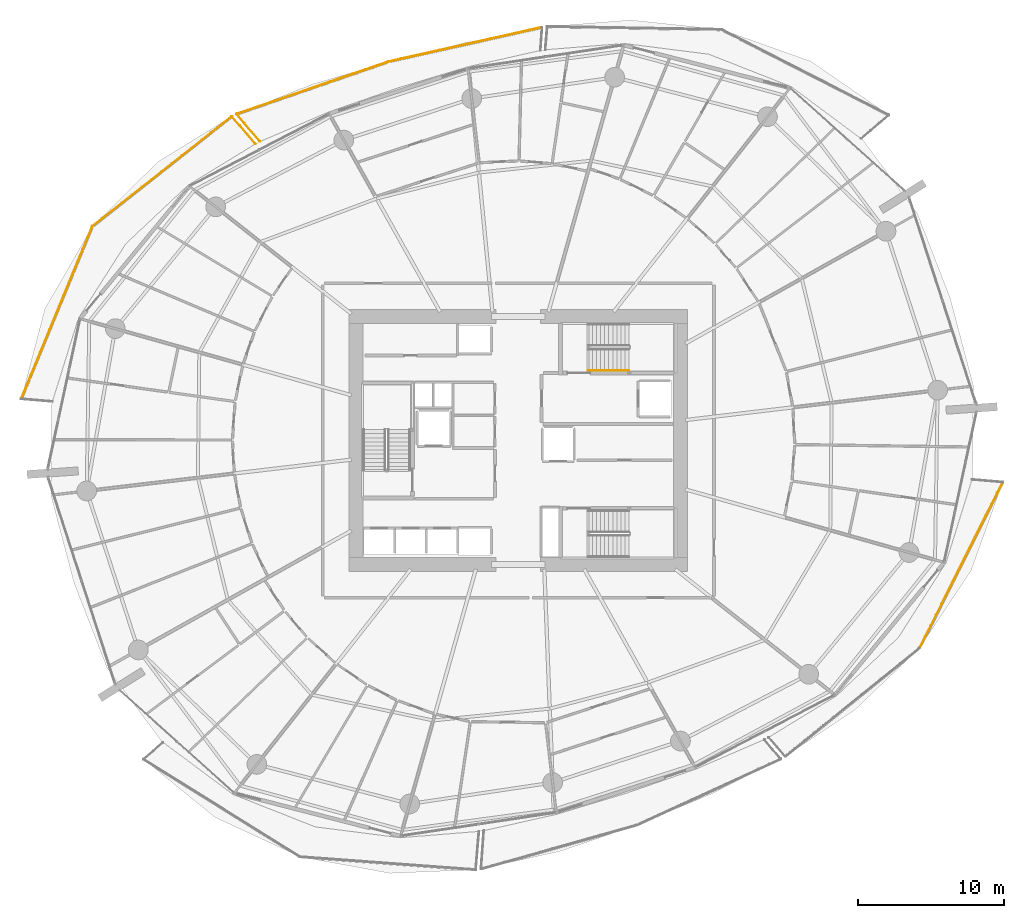
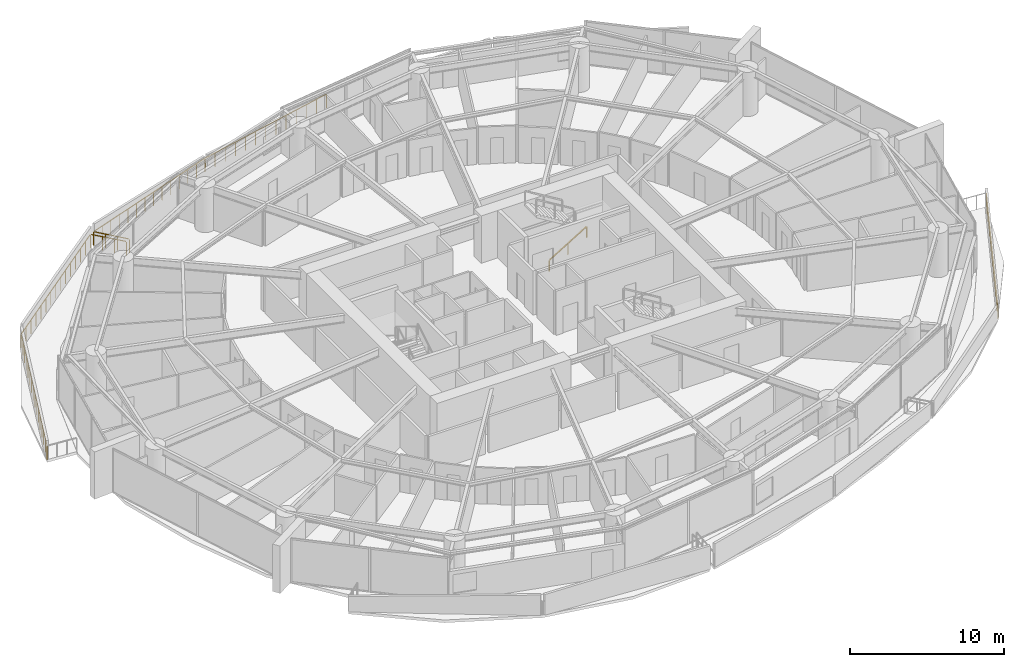
# One storey, part 29 of 31: 8 railings.
"""IFC4 building model written with IfcOpenShell, lengths in metres."""

from ifc_helpers import new_model, si_unit, direction, frame, origin, origin_2d, place, context, subcontext, project, spatial, rectangle, extrude, material, type_object, element, save


model = new_model("IFC4")

# Units and contexts
model_context = context("Model", 3, precision=1e-05, world=origin(), true_north=direction((0.0, 1.0)))
body_context = subcontext(model_context, "Body", "Model", "MODEL_VIEW")
ifc_project = project(units=[si_unit("LENGTHUNIT", "METRE"), si_unit("AREAUNIT", "SQUARE_METRE"), si_unit("VOLUMEUNIT", "CUBIC_METRE"), si_unit("PLANEANGLEUNIT", "RADIAN"), si_unit("MASSUNIT", "GRAM", prefix="KILO")], contexts=[model_context])

# Site, building, storey
site_placement = place(None, origin())
site = spatial("IfcSite", under=ifc_project, at=site_placement, CompositionType="ELEMENT")
building_placement = place(site_placement, origin())
building = spatial("IfcBuilding", under=site, at=building_placement, Name="Kazma Halo Residences", CompositionType="ELEMENT")
storey_placement = place(building_placement, frame((0.0, 0.0, 48.89990234375)))
storey = spatial("IfcBuildingStorey", under=building, at=storey_placement, Name="L11", CompositionType="ELEMENT", Elevation=48.89990234375)

# Railings
ifc_material_1 = material(Name="Aluminium AW-6063 T6 Brushed Cap Rail", Category="aluminium")
railing_type_1 = type_object("IfcRailingType", Name="RLG-BAL-CAP-1120", PredefinedType="BALUSTRADE", material=ifc_material_1)
railing_1_placement = place(storey_placement, frame((50.050537109375, 70.261474609375, 0.0)))
element("IfcRailing", 1, at=railing_1_placement, inside=storey, type_object=railing_type_1, Name="L11 NNW wave balcony guard 2", PredefinedType="BALUSTRADE", context=body_context, shape_type="SweptSolid", body=[
    extrude(rectangle(XDim=0.050048828125, YDim=0.050048828125, at=origin_2d()), frame((-0.04150390625, -0.00927734375, 1.09521484375), z_axis=(-0.975845384568, -0.218462320361, 0.0), x_axis=(0.218462320361, -0.975845384568, 0.0)), (0.0, 0.0, 1.0), 10.6455078125),
    extrude(rectangle(XDim=0.0400390625, YDim=0.0400390625, at=origin_2d()), origin(), (0.0, 0.0, 1.0), 1.05810546875),
    extrude(rectangle(XDim=0.0400390625, YDim=0.0400390625, at=origin_2d()), frame((-0.87255859375, -0.1953125, 0.0)), (0.0, 0.0, 1.0), 1.05810546875),
    extrude(rectangle(XDim=0.0400390625, YDim=0.0400390625, at=origin_2d()), frame((-1.7451171875, -0.390625, 0.0)), (0.0, 0.0, 1.0), 1.05810546875),
    extrude(rectangle(XDim=0.0400390625, YDim=0.0400390625, at=origin_2d()), frame((-2.617919921875, -0.5859375, 0.0)), (0.0, 0.0, 1.0), 1.05810546875),
    extrude(rectangle(XDim=0.0400390625, YDim=0.0400390625, at=origin_2d()), frame((-3.490478515625, -0.781494140625, 0.0)), (0.0, 0.0, 1.0), 1.05810546875),
    extrude(rectangle(XDim=0.0400390625, YDim=0.0400390625, at=origin_2d()), frame((-4.363037109375, -0.976806640625, 0.0)), (0.0, 0.0, 1.0), 1.05810546875),
    extrude(rectangle(XDim=0.0400390625, YDim=0.0400390625, at=origin_2d()), frame((-5.23583984375, -1.172119140625, 0.0)), (0.0, 0.0, 1.0), 1.05810546875),
    extrude(rectangle(XDim=0.0400390625, YDim=0.0400390625, at=origin_2d()), frame((-6.1083984375, -1.367431640625, 0.0)), (0.0, 0.0, 1.0), 1.05810546875),
    extrude(rectangle(XDim=0.0400390625, YDim=0.0400390625, at=origin_2d()), frame((-6.98095703125, -1.562744140625, 0.0)), (0.0, 0.0, 1.0), 1.05810546875),
    extrude(rectangle(XDim=0.0400390625, YDim=0.0400390625, at=origin_2d()), frame((-7.853515625, -1.75830078125, 0.0)), (0.0, 0.0, 1.0), 1.05810546875),
    extrude(rectangle(XDim=0.0400390625, YDim=0.0400390625, at=origin_2d()), frame((-8.72607421875, -1.95361328125, 0.0)), (0.0, 0.0, 1.0), 1.05810546875),
    extrude(rectangle(XDim=0.0400390625, YDim=0.0400390625, at=origin_2d()), frame((-9.598876953125, -2.14892578125, 0.0)), (0.0, 0.0, 1.0), 1.05810546875),
    extrude(rectangle(XDim=0.0400390625, YDim=0.0400390625, at=origin_2d()), frame((-10.471435546875, -2.34423828125, 0.0)), (0.0, 0.0, 1.0), 1.05810546875),
])
railing_2_placement = place(storey_placement, frame((39.5791015625, 67.917236328125, 0.0)))
element("IfcRailing", 2, at=railing_2_placement, inside=storey, type_object=railing_type_1, Name="L11 NNW wave balcony guard 3", PredefinedType="BALUSTRADE", context=body_context, shape_type="SweptSolid", body=[
    extrude(rectangle(XDim=0.050048828125, YDim=0.050048828125, at=origin_2d()), frame((-0.040283203125, -0.013916015625, 1.09521484375), z_axis=(-0.945564975661, -0.325433367687, 0.0), x_axis=(0.325433367687, -0.945564975661, 0.0)), (0.0, 0.0, 1.0), 10.932373046875),
    extrude(rectangle(XDim=0.0400390625, YDim=0.0400390625, at=origin_2d()), origin(), (0.0, 0.0, 1.0), 1.05810546875),
    extrude(rectangle(XDim=0.0400390625, YDim=0.0400390625, at=origin_2d()), frame((-0.80126953125, -0.27587890625, 0.0)), (0.0, 0.0, 1.0), 1.05810546875),
    extrude(rectangle(XDim=0.0400390625, YDim=0.0400390625, at=origin_2d()), frame((-1.602783203125, -0.551513671875, 0.0)), (0.0, 0.0, 1.0), 1.05810546875),
    extrude(rectangle(XDim=0.0400390625, YDim=0.0400390625, at=origin_2d()), frame((-2.404052734375, -0.827392578125, 0.0)), (0.0, 0.0, 1.0), 1.05810546875),
    extrude(rectangle(XDim=0.0400390625, YDim=0.0400390625, at=origin_2d()), frame((-3.20556640625, -1.103271484375, 0.0)), (0.0, 0.0, 1.0), 1.05810546875),
    extrude(rectangle(XDim=0.0400390625, YDim=0.0400390625, at=origin_2d()), frame((-4.0068359375, -1.37890625, 0.0)), (0.0, 0.0, 1.0), 1.05810546875),
    extrude(rectangle(XDim=0.0400390625, YDim=0.0400390625, at=origin_2d()), frame((-4.80810546875, -1.65478515625, 0.0)), (0.0, 0.0, 1.0), 1.05810546875),
    extrude(rectangle(XDim=0.0400390625, YDim=0.0400390625, at=origin_2d()), frame((-5.609619140625, -1.9306640625, 0.0)), (0.0, 0.0, 1.0), 1.05810546875),
    extrude(rectangle(XDim=0.0400390625, YDim=0.0400390625, at=origin_2d()), frame((-6.410888671875, -2.20654296875, 0.0)), (0.0, 0.0, 1.0), 1.05810546875),
    extrude(rectangle(XDim=0.0400390625, YDim=0.0400390625, at=origin_2d()), frame((-7.212158203125, -2.482177734375, 0.0)), (0.0, 0.0, 1.0), 1.05810546875),
    extrude(rectangle(XDim=0.0400390625, YDim=0.0400390625, at=origin_2d()), frame((-8.013671875, -2.758056640625, 0.0)), (0.0, 0.0, 1.0), 1.05810546875),
    extrude(rectangle(XDim=0.0400390625, YDim=0.0400390625, at=origin_2d()), frame((-8.81494140625, -3.033935546875, 0.0)), (0.0, 0.0, 1.0), 1.05810546875),
    extrude(rectangle(XDim=0.0400390625, YDim=0.0400390625, at=origin_2d()), frame((-9.616455078125, -3.3095703125, 0.0)), (0.0, 0.0, 1.0), 1.05810546875),
    extrude(rectangle(XDim=0.0400390625, YDim=0.0400390625, at=origin_2d()), frame((-10.417724609375, -3.58544921875, 0.0)), (0.0, 0.0, 1.0), 1.05810546875),
])
railing_3_placement = place(storey_placement, frame((29.161376953125, 64.331787109375, 0.0)))
element("IfcRailing", 3, at=railing_3_placement, inside=storey, type_object=railing_type_1, Name="L11 NNW wave balcony guard 4", PredefinedType="BALUSTRADE", context=body_context, shape_type="SweptSolid", body=[
    extrude(rectangle(XDim=0.050048828125, YDim=0.050048828125, at=origin_2d()), frame((0.02734375, -0.032470703125, 1.09521484375), z_axis=(0.644836604623, -0.764320451995, 0.0), x_axis=(0.764320451995, 0.644836604623, 0.0)), (0.0, 0.0, 1.0), 2.381103515625),
    extrude(rectangle(XDim=0.0400390625, YDim=0.0400390625, at=origin_2d()), origin(), (0.0, 0.0, 1.0), 1.05810546875),
    extrude(rectangle(XDim=0.0400390625, YDim=0.0400390625, at=origin_2d()), frame((0.530029296875, -0.62841796875, 0.0)), (0.0, 0.0, 1.0), 1.05810546875),
    extrude(rectangle(XDim=0.0400390625, YDim=0.0400390625, at=origin_2d()), frame((1.060302734375, -1.256591796875, 0.0)), (0.0, 0.0, 1.0), 1.05810546875),
    extrude(rectangle(XDim=0.0400390625, YDim=0.0400390625, at=origin_2d()), frame((1.59033203125, -1.885009765625, 0.0)), (0.0, 0.0, 1.0), 1.05810546875),
])
railing_4_placement = place(storey_placement, frame((30.453857421875, 62.29150390625, 0.0)))
element("IfcRailing", 4, at=railing_4_placement, inside=storey, type_object=railing_type_1, Name="L11 NW wave balcony guard 1", PredefinedType="BALUSTRADE", context=body_context, shape_type="SweptSolid", body=[
    extrude(rectangle(XDim=0.050048828125, YDim=0.050048828125, at=origin_2d()), frame((-0.02783203125, 0.0322265625, 1.09521484375), z_axis=(-0.654069906555, 0.756434106409, 0.0), x_axis=(-0.756434106409, -0.654069906555, 0.0)), (0.0, 0.0, 1.0), 2.400146484375),
    extrude(rectangle(XDim=0.0400390625, YDim=0.0400390625, at=origin_2d()), origin(), (0.0, 0.0, 1.0), 1.05810546875),
    extrude(rectangle(XDim=0.0400390625, YDim=0.0400390625, at=origin_2d()), frame((-0.541748046875, 0.626708984375, 0.0)), (0.0, 0.0, 1.0), 1.05810546875),
    extrude(rectangle(XDim=0.0400390625, YDim=0.0400390625, at=origin_2d()), frame((-1.083740234375, 1.253173828125, 0.0)), (0.0, 0.0, 1.0), 1.05810546875),
    extrude(rectangle(XDim=0.0400390625, YDim=0.0400390625, at=origin_2d()), frame((-1.62548828125, 1.8798828125, 0.0)), (0.0, 0.0, 1.0), 1.05810546875),
])
railing_5_placement = place(storey_placement, frame((28.828369140625, 64.17138671875, 0.0)))
element("IfcRailing", 5, at=railing_5_placement, inside=storey, type_object=railing_type_1, Name="L11 NW wave balcony guard 2", PredefinedType="BALUSTRADE", context=body_context, shape_type="SweptSolid", body=[
    extrude(rectangle(XDim=0.050048828125, YDim=0.050048828125, at=origin_2d()), frame((-0.033447265625, -0.0263671875, 1.09521484375), z_axis=(-0.784769725579, -0.619787445674, 0.0), x_axis=(0.619787445674, -0.784769725579, 0.0)), (0.0, 0.0, 1.0), 12.078857421875),
    extrude(rectangle(XDim=0.0400390625, YDim=0.0400390625, at=origin_2d()), origin(), (0.0, 0.0, 1.0), 1.05810546875),
    extrude(rectangle(XDim=0.0400390625, YDim=0.0400390625, at=origin_2d()), frame((-0.681884765625, -0.53857421875, 0.0)), (0.0, 0.0, 1.0), 1.05810546875),
    extrude(rectangle(XDim=0.0400390625, YDim=0.0400390625, at=origin_2d()), frame((-1.36376953125, -1.076904296875, 0.0)), (0.0, 0.0, 1.0), 1.05810546875),
    extrude(rectangle(XDim=0.0400390625, YDim=0.0400390625, at=origin_2d()), frame((-2.045654296875, -1.615478515625, 0.0)), (0.0, 0.0, 1.0), 1.05810546875),
    extrude(rectangle(XDim=0.0400390625, YDim=0.0400390625, at=origin_2d()), frame((-2.727294921875, -2.154052734375, 0.0)), (0.0, 0.0, 1.0), 1.05810546875),
    extrude(rectangle(XDim=0.0400390625, YDim=0.0400390625, at=origin_2d()), frame((-3.4091796875, -2.692626953125, 0.0)), (0.0, 0.0, 1.0), 1.05810546875),
    extrude(rectangle(XDim=0.0400390625, YDim=0.0400390625, at=origin_2d()), frame((-4.091064453125, -3.23095703125, 0.0)), (0.0, 0.0, 1.0), 1.05810546875),
    extrude(rectangle(XDim=0.0400390625, YDim=0.0400390625, at=origin_2d()), frame((-4.77294921875, -3.76953125, 0.0)), (0.0, 0.0, 1.0), 1.05810546875),
    extrude(rectangle(XDim=0.0400390625, YDim=0.0400390625, at=origin_2d()), frame((-5.454833984375, -4.30810546875, 0.0)), (0.0, 0.0, 1.0), 1.05810546875),
    extrude(rectangle(XDim=0.0400390625, YDim=0.0400390625, at=origin_2d()), frame((-6.13671875, -4.846435546875, 0.0)), (0.0, 0.0, 1.0), 1.05810546875),
    extrude(rectangle(XDim=0.0400390625, YDim=0.0400390625, at=origin_2d()), frame((-6.818603515625, -5.385009765625, 0.0)), (0.0, 0.0, 1.0), 1.05810546875),
    extrude(rectangle(XDim=0.0400390625, YDim=0.0400390625, at=origin_2d()), frame((-7.500244140625, -5.923583984375, 0.0)), (0.0, 0.0, 1.0), 1.05810546875),
    extrude(rectangle(XDim=0.0400390625, YDim=0.0400390625, at=origin_2d()), frame((-8.18212890625, -6.462158203125, 0.0)), (0.0, 0.0, 1.0), 1.05810546875),
    extrude(rectangle(XDim=0.0400390625, YDim=0.0400390625, at=origin_2d()), frame((-8.864013671875, -7.00048828125, 0.0)), (0.0, 0.0, 1.0), 1.05810546875),
    extrude(rectangle(XDim=0.0400390625, YDim=0.0400390625, at=origin_2d()), frame((-9.5458984375, -7.5390625, 0.0)), (0.0, 0.0, 1.0), 1.05810546875),
])
railing_6_placement = place(storey_placement, frame((19.282470703125, 56.63232421875, 0.0)))
element("IfcRailing", 6, at=railing_6_placement, inside=storey, type_object=railing_type_1, Name="L11 NW wave balcony guard 3", PredefinedType="BALUSTRADE", context=body_context, shape_type="SweptSolid", body=[
    extrude(rectangle(XDim=0.050048828125, YDim=0.050048828125, at=origin_2d()), frame((-0.01611328125, -0.039306640625, 1.09521484375), z_axis=(-0.38108024228, -0.924541967108, 0.0), x_axis=(0.924541967108, -0.38108024228, 0.0)), (0.0, 0.0, 1.0), 12.66015625),
    extrude(rectangle(XDim=0.0400390625, YDim=0.0400390625, at=origin_2d()), origin(), (0.0, 0.0, 1.0), 1.05810546875),
    extrude(rectangle(XDim=0.0400390625, YDim=0.0400390625, at=origin_2d()), frame((-0.32373046875, -0.78564453125, 0.0)), (0.0, 0.0, 1.0), 1.05810546875),
    extrude(rectangle(XDim=0.0400390625, YDim=0.0400390625, at=origin_2d()), frame((-0.647705078125, -1.571044921875, 0.0)), (0.0, 0.0, 1.0), 1.05810546875),
    extrude(rectangle(XDim=0.0400390625, YDim=0.0400390625, at=origin_2d()), frame((-0.971435546875, -2.356689453125, 0.0)), (0.0, 0.0, 1.0), 1.05810546875),
    extrude(rectangle(XDim=0.0400390625, YDim=0.0400390625, at=origin_2d()), frame((-1.295166015625, -3.142333984375, 0.0)), (0.0, 0.0, 1.0), 1.05810546875),
    extrude(rectangle(XDim=0.0400390625, YDim=0.0400390625, at=origin_2d()), frame((-1.618896484375, -3.927734375, 0.0)), (0.0, 0.0, 1.0), 1.05810546875),
    extrude(rectangle(XDim=0.0400390625, YDim=0.0400390625, at=origin_2d()), frame((-1.94287109375, -4.71337890625, 0.0)), (0.0, 0.0, 1.0), 1.05810546875),
    extrude(rectangle(XDim=0.0400390625, YDim=0.0400390625, at=origin_2d()), frame((-2.2666015625, -5.4990234375, 0.0)), (0.0, 0.0, 1.0), 1.05810546875),
    extrude(rectangle(XDim=0.0400390625, YDim=0.0400390625, at=origin_2d()), frame((-2.59033203125, -6.284423828125, 0.0)), (0.0, 0.0, 1.0), 1.05810546875),
    extrude(rectangle(XDim=0.0400390625, YDim=0.0400390625, at=origin_2d()), frame((-2.9140625, -7.070068359375, 0.0)), (0.0, 0.0, 1.0), 1.05810546875),
    extrude(rectangle(XDim=0.0400390625, YDim=0.0400390625, at=origin_2d()), frame((-3.238037109375, -7.855712890625, 0.0)), (0.0, 0.0, 1.0), 1.05810546875),
    extrude(rectangle(XDim=0.0400390625, YDim=0.0400390625, at=origin_2d()), frame((-3.561767578125, -8.64111328125, 0.0)), (0.0, 0.0, 1.0), 1.05810546875),
    extrude(rectangle(XDim=0.0400390625, YDim=0.0400390625, at=origin_2d()), frame((-3.885498046875, -9.4267578125, 0.0)), (0.0, 0.0, 1.0), 1.05810546875),
    extrude(rectangle(XDim=0.0400390625, YDim=0.0400390625, at=origin_2d()), frame((-4.209228515625, -10.21240234375, 0.0)), (0.0, 0.0, 1.0), 1.05810546875),
    extrude(rectangle(XDim=0.0400390625, YDim=0.0400390625, at=origin_2d()), frame((-4.533203125, -10.997802734375, 0.0)), (0.0, 0.0, 1.0), 1.05810546875),
    extrude(rectangle(XDim=0.0400390625, YDim=0.0400390625, at=origin_2d()), frame((-4.85693359375, -11.783447265625, 0.0)), (0.0, 0.0, 1.0), 1.05810546875),
])
railing_7_placement = place(storey_placement, frame((75.861328125, 27.803955078125, 0.0)))
element("IfcRailing", 7, at=railing_7_placement, inside=storey, type_object=railing_type_1, Name="L11 SE wave balcony guard 3", PredefinedType="BALUSTRADE", context=body_context, shape_type="SweptSolid", body=[
    extrude(rectangle(XDim=0.050048828125, YDim=0.050048828125, at=origin_2d()), frame((0.01904296875, 0.0380859375, 1.09521484375), z_axis=(0.448451441279, 0.893807196667, 0.0), x_axis=(-0.893807196667, 0.448451441279, 0.0)), (0.0, 0.0, 1.0), 12.612060546875),
    extrude(rectangle(XDim=0.0400390625, YDim=0.0400390625, at=origin_2d()), origin(), (0.0, 0.0, 1.0), 1.05810546875),
    extrude(rectangle(XDim=0.0400390625, YDim=0.0400390625, at=origin_2d()), frame((0.379638671875, 0.756591796875, 0.0)), (0.0, 0.0, 1.0), 1.05810546875),
    extrude(rectangle(XDim=0.0400390625, YDim=0.0400390625, at=origin_2d()), frame((0.75927734375, 1.51318359375, 0.0)), (0.0, 0.0, 1.0), 1.05810546875),
    extrude(rectangle(XDim=0.0400390625, YDim=0.0400390625, at=origin_2d()), frame((1.138916015625, 2.269775390625, 0.0)), (0.0, 0.0, 1.0), 1.05810546875),
    extrude(rectangle(XDim=0.0400390625, YDim=0.0400390625, at=origin_2d()), frame((1.518310546875, 3.0263671875, 0.0)), (0.0, 0.0, 1.0), 1.05810546875),
    extrude(rectangle(XDim=0.0400390625, YDim=0.0400390625, at=origin_2d()), frame((1.89794921875, 3.782958984375, 0.0)), (0.0, 0.0, 1.0), 1.05810546875),
    extrude(rectangle(XDim=0.0400390625, YDim=0.0400390625, at=origin_2d()), frame((2.277587890625, 4.53955078125, 0.0)), (0.0, 0.0, 1.0), 1.05810546875),
    extrude(rectangle(XDim=0.0400390625, YDim=0.0400390625, at=origin_2d()), frame((2.6572265625, 5.296142578125, 0.0)), (0.0, 0.0, 1.0), 1.05810546875),
    extrude(rectangle(XDim=0.0400390625, YDim=0.0400390625, at=origin_2d()), frame((3.036865234375, 6.052734375, 0.0)), (0.0, 0.0, 1.0), 1.05810546875),
    extrude(rectangle(XDim=0.0400390625, YDim=0.0400390625, at=origin_2d()), frame((3.41650390625, 6.809326171875, 0.0)), (0.0, 0.0, 1.0), 1.05810546875),
    extrude(rectangle(XDim=0.0400390625, YDim=0.0400390625, at=origin_2d()), frame((3.796142578125, 7.56591796875, 0.0)), (0.0, 0.0, 1.0), 1.05810546875),
    extrude(rectangle(XDim=0.0400390625, YDim=0.0400390625, at=origin_2d()), frame((4.17578125, 8.322509765625, 0.0)), (0.0, 0.0, 1.0), 1.05810546875),
    extrude(rectangle(XDim=0.0400390625, YDim=0.0400390625, at=origin_2d()), frame((4.55517578125, 9.0791015625, 0.0)), (0.0, 0.0, 1.0), 1.05810546875),
    extrude(rectangle(XDim=0.0400390625, YDim=0.0400390625, at=origin_2d()), frame((4.934814453125, 9.835693359375, 0.0)), (0.0, 0.0, 1.0), 1.05810546875),
    extrude(rectangle(XDim=0.0400390625, YDim=0.0400390625, at=origin_2d()), frame((5.314453125, 10.59228515625, 0.0)), (0.0, 0.0, 1.0), 1.05810546875),
    extrude(rectangle(XDim=0.0400390625, YDim=0.0400390625, at=origin_2d()), frame((5.694091796875, 11.348876953125, 0.0)), (0.0, 0.0, 1.0), 1.05810546875),
])
ifc_material_2 = material(Name="Brushed Stainless Steel", Category="steel")
railing_type_2 = type_object("IfcRailingType", Name="RLG-STAIR-HND-900", PredefinedType="HANDRAIL", material=ifc_material_2)
railing_8_placement = place(storey_placement, frame((53.199951171875, 46.800048828125, 0.170654296875)))
element("IfcRailing", 8, at=railing_8_placement, inside=storey, type_object=railing_type_2, Name="L11 ST-02 stair handrail 1", PredefinedType="HANDRAIL", context=body_context, shape_type="SweptSolid", body=[
    extrude(rectangle(XDim=0.050048828125, YDim=0.050048828125, at=origin_2d()), frame((0.036376953125, 0.0, 0.89697265625), z_axis=(0.854202870247, 0.0, 0.519939858505), x_axis=(0.0, 1.0, 0.0)), (0.0, 0.0, 1.0), 3.19287109375),
    extrude(rectangle(XDim=0.0400390625, YDim=0.0400390625, at=origin_2d()), origin(), (0.0, 0.0, 1.0), 0.837890625),
    extrude(rectangle(XDim=0.0400390625, YDim=0.0400390625, at=origin_2d()), frame((1.39990234375, 0.0, 0.85205078125)), (0.0, 0.0, 1.0), 0.837890625),
    extrude(rectangle(XDim=0.0400390625, YDim=0.0400390625, at=origin_2d()), frame((2.800048828125, 0.0, 1.704345703125)), (0.0, 0.0, 1.0), 0.837890625),
])

save(model, "model.ifc")
